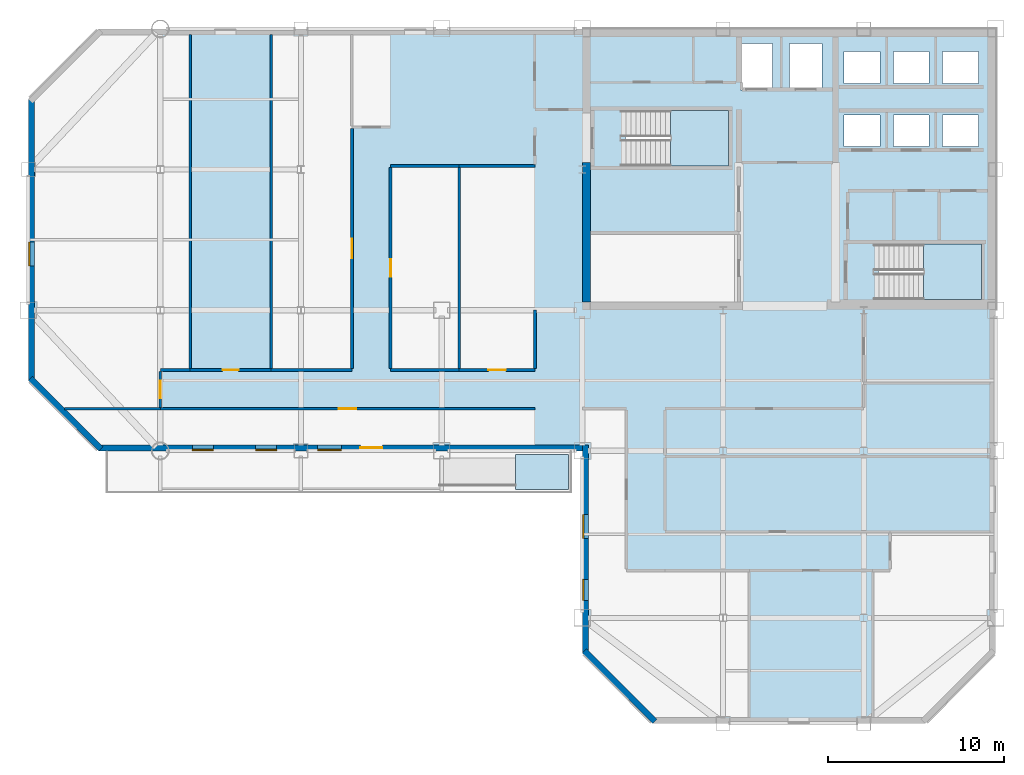
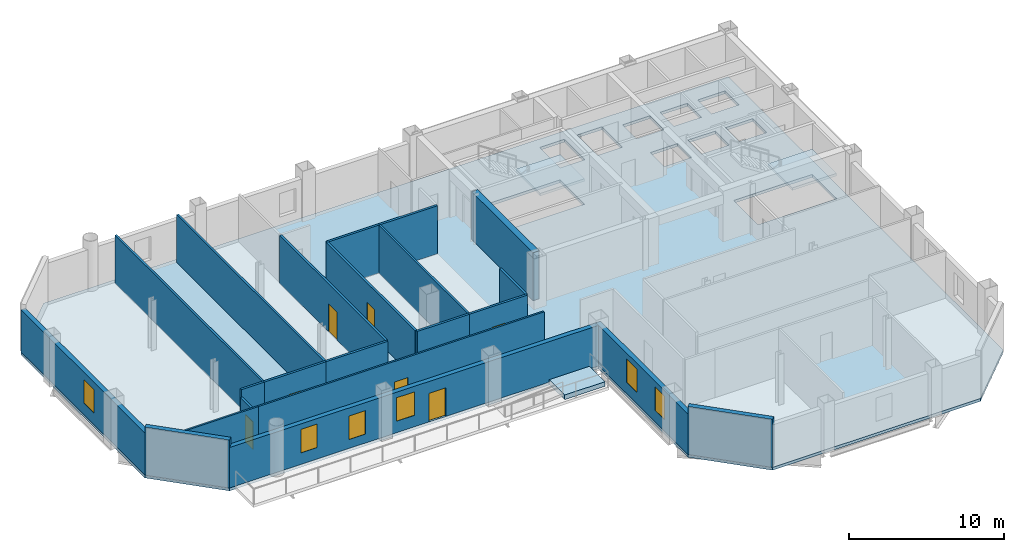
# One storey, part 4 of 11: 22 walls, 7 doors, 6 windows, 4 slabs, 13 openings, 3 elements without a shape of their own.
"""IFC4 building model written with IfcOpenShell, lengths in metres."""

from ifc_helpers import new_model, si_unit, direction, frame, frame_2d, origin, place, context, subcontext, project, spatial, polyline, rectangle, outline, extrude, material, layer, layer_set, type_object, element, fill, aggregate, save


model = new_model("IFC4")

# Units and contexts
model_context = context("Model", 3, precision=1e-05, world=origin(), true_north=direction((0.0, 1.0)))
body_context = subcontext(model_context, "Body", "Model", "MODEL_VIEW")
ifc_project = project(units=[si_unit("LENGTHUNIT", "METRE"), si_unit("AREAUNIT", "SQUARE_METRE"), si_unit("VOLUMEUNIT", "CUBIC_METRE"), si_unit("PLANEANGLEUNIT", "RADIAN"), si_unit("MASSUNIT", "GRAM", prefix="KILO")], contexts=[model_context])

# Site, building, storey
site_placement = place(None, origin())
site = spatial("IfcSite", under=ifc_project, at=site_placement, CompositionType="ELEMENT")
building_placement = place(site_placement, origin())
building = spatial("IfcBuilding", under=site, at=building_placement, Name="Qianrong Seaharbour Tower", CompositionType="ELEMENT")
storey_placement = place(building_placement, frame((0.0, 0.0, 273.800048828125)))
storey = spatial("IfcBuildingStorey", under=building, at=storey_placement, Name="L66", CompositionType="ELEMENT", Elevation=273.800048828125)

# Ramp, slab
ifc_material_1 = material(Name="White architectural precast concrete C45/55", Category="concrete")
ramp_type = type_object("IfcRampType", Name="RAMP-RIBBON-GARDEN", PredefinedType="STRAIGHT_RUN_RAMP", material=ifc_material_1)
ramp_placement = place(storey_placement, origin())
ramp = element("IfcRamp", 1, at=ramp_placement, inside=storey, type_object=ramp_type, Name="L66 Harbourfront Garden Ribbon Ramp", PredefinedType="STRAIGHT_RUN_RAMP")
ifc_layer_1 = layer(ifc_material_1, 0.360107421875)
ifc_layer_set_1 = layer_set([ifc_layer_1], Name="White architectural precast concrete C45/55")
slab_type_1 = type_object("IfcSlabType", Name="SLAB-RAMP-LANDING-220", PredefinedType="LANDING", material=ifc_layer_set_1)
slab_1_placement = place(storey_placement, origin())
slab_1 = element("IfcSlab", 2, at=slab_1_placement, type_object=slab_type_1, Name="L66 Harbourfront Ribbon Raised Garden Landing", PredefinedType="LANDING", context=body_context, shape_type="SweptSolid", body=[
    extrude(outline(polyline([(36.699951171875, 25.800048828125), (39.699951171875, 25.800048828125), (39.699951171875, 27.800048828125), (36.699951171875, 27.800048828125), (36.699951171875, 25.800048828125)])), origin(), (0.0, 0.0, 1.0), 0.35986328125),
])
aggregate(ramp, [slab_1])

# Stair, slab
ifc_material_2 = material(Name="Concrete C50/60", Category="concrete")
stair_type = type_object("IfcStairType", Name="STAIR-DOGLEG-1500-R22", PredefinedType="HALF_TURN_STAIR", material=ifc_material_2)
stair_1_placement = place(storey_placement, origin())
stair_1 = element("IfcStair", 3, at=stair_1_placement, inside=storey, type_object=stair_type, Name="L66 Protected Escape Stair ST-1", PredefinedType="HALF_TURN_STAIR")
ifc_layer_2 = layer(ifc_material_2, 0.199951171875)
ifc_layer_set_2 = layer_set([ifc_layer_2], Name="Concrete C50/60")
slab_type_2 = type_object("IfcSlabType", Name="SLAB-STAIR-LANDING-200", PredefinedType="LANDING", material=ifc_layer_set_2)
slab_2_placement = place(storey_placement, frame((0.0, 0.0, 1.800048828125)))
slab_2 = element("IfcSlab", 4, at=slab_2_placement, type_object=slab_type_2, Name="ST-1 landing 1", PredefinedType="LANDING", context=body_context, shape_type="SweptSolid", body=[
    extrude(outline(polyline([(45.5, 44.199951171875), (48.800048828125, 44.199951171875), (48.800048828125, 47.35009765625), (45.5, 47.35009765625), (45.5, 44.199951171875)])), origin(), (0.0, 0.0, 1.0), 0.199951171875),
])
aggregate(stair_1, [slab_2])

stair_2_placement = place(storey_placement, origin())
stair_2 = element("IfcStair", 5, at=stair_2_placement, inside=storey, type_object=stair_type, Name="L66 Protected Escape Stair ST-2", PredefinedType="HALF_TURN_STAIR")
slab_3_placement = place(storey_placement, frame((0.0, 0.0, 1.800048828125)))
slab_3 = element("IfcSlab", 6, at=slab_3_placement, type_object=slab_type_2, Name="ST-2 landing 1", PredefinedType="LANDING", context=body_context, shape_type="SweptSolid", body=[
    extrude(outline(polyline([(59.89990234375, 36.60009765625), (63.199951171875, 36.60009765625), (63.199951171875, 39.75), (59.89990234375, 39.75), (59.89990234375, 36.60009765625)])), origin(), (0.0, 0.0, 1.0), 0.199951171875),
])
aggregate(stair_2, [slab_3])

# Slab
ifc_layer_3 = layer(ifc_material_2, 0.22509765625)
ifc_layer_set_3 = layer_set([ifc_layer_3], Name="Concrete C50/60")
slab_type_3 = type_object("IfcSlabType", Name="SLAB-Z3-225", PredefinedType="FLOOR", material=ifc_layer_set_3)
slab_4_placement = place(storey_placement, frame((0.0, 0.0, -0.22509765625)))
element("IfcSlab", 7, at=slab_4_placement, inside=storey, type_object=slab_type_3, Name="L66 Structural Floor Slab", PredefinedType="FLOOR", context=body_context, shape_type="SweptSolid", body=[
    extrude(outline(polyline([(44.5, 12.5), (60.0, 12.5), (64.0, 16.5), (64.0, 52.0), (13.0, 52.0), (9.0, 48.0), (9.0, 32.0), (13.0, 28.0), (40.5, 28.0), (40.5, 16.5), (44.5, 12.5)]), holes=[polyline([(42.93994140625, 44.199951171875), (42.93994140625, 47.35009765625), (48.800048828125, 47.35009765625), (48.800048828125, 44.199951171875), (42.93994140625, 44.199951171875)]), polyline([(57.340087890625, 36.60009765625), (57.340087890625, 39.75), (63.199951171875, 39.75), (63.199951171875, 36.60009765625), (57.340087890625, 36.60009765625)]), polyline([(49.47998046875, 48.530029296875), (49.47998046875, 51.169921875), (51.320068359375, 51.169921875), (51.320068359375, 48.530029296875), (49.47998046875, 48.530029296875)]), polyline([(52.280029296875, 48.530029296875), (52.280029296875, 51.169921875), (54.1201171875, 51.169921875), (54.1201171875, 48.530029296875), (52.280029296875, 48.530029296875)]), polyline([(55.3798828125, 45.300048828125), (55.3798828125, 47.10009765625), (57.419921875, 47.10009765625), (57.419921875, 45.300048828125), (55.3798828125, 45.300048828125)]), polyline([(58.179931640625, 45.300048828125), (58.179931640625, 47.10009765625), (60.219970703125, 47.10009765625), (60.219970703125, 45.300048828125), (58.179931640625, 45.300048828125)]), polyline([(60.97998046875, 45.300048828125), (60.97998046875, 47.10009765625), (63.02001953125, 47.10009765625), (63.02001953125, 45.300048828125), (60.97998046875, 45.300048828125)]), polyline([(55.3798828125, 48.89990234375), (55.3798828125, 50.699951171875), (57.419921875, 50.699951171875), (57.419921875, 48.89990234375), (55.3798828125, 48.89990234375)]), polyline([(58.179931640625, 48.89990234375), (58.179931640625, 50.699951171875), (60.219970703125, 50.699951171875), (60.219970703125, 48.89990234375), (58.179931640625, 48.89990234375)]), polyline([(60.97998046875, 48.89990234375), (60.97998046875, 50.699951171875), (63.02001953125, 50.699951171875), (63.02001953125, 48.89990234375), (60.97998046875, 48.89990234375)])]), origin(), (0.0, 0.0, 1.0), 0.22509765625),
])

# Wall
ifc_material_3 = material(Name="Concrete C60/75", Category="concrete")
ifc_layer_4 = layer(ifc_material_3, 0.4599609375)
ifc_layer_set_4 = layer_set([ifc_layer_4], Name="Concrete C60/75")
wall_type_1 = type_object("IfcWallType", Name="WALL-CORE-460", PredefinedType="SHEAR", material=ifc_layer_set_4)
wall_1_placement = place(storey_placement, frame((40.72998046875, 36.4599609375, 0.0), z_axis=(0.0, 0.0, 1.0), x_axis=(0.0, 1.0, 0.0)))
element("IfcWall", 8, at=wall_1_placement, inside=storey, type_object=wall_type_1, Name="L66 West Core Shear Wall South", PredefinedType="SHEAR", context=body_context, shape_type="SweptSolid", body=[
    extrude(rectangle(XDim=7.93994140625, YDim=0.4599609375, at=frame_2d((3.969970703125, 0.0))), origin(), (0.0, 0.0, 1.0), 3.77490234375),
])

# Wall, opening, door
ifc_material_4 = material(Name="Fire-rated acoustic gypsum board partition")
ifc_layer_5 = layer(ifc_material_4, 0.1650390625)
ifc_layer_set_5 = layer_set([ifc_layer_5], Name="Fire-rated acoustic gypsum board partition")
wall_type_2 = type_object("IfcWallType", Name="WALL-CORR-PART-165", PredefinedType="PARTITIONING", material=ifc_layer_set_5)
wall_2_placement = place(storey_placement, frame((16.5, 30.45703125, 0.0), z_axis=(0.0, 0.0, 1.0), x_axis=(0.0, 1.0, 0.0)))
wall_2 = element("IfcWall", 9, at=wall_2_placement, inside=storey, type_object=wall_type_2, Name="L66 Interior Partition Wall 017", PredefinedType="PARTITIONING", context=body_context, shape_type="SweptSolid", body=[
    extrude(rectangle(XDim=2.068359375, YDim=0.1650390625, at=frame_2d((1.0341796875, 0.0))), origin(), (0.0, 0.0, 1.0), 3.178955078125),
])
opening_1_placement = place(wall_2_placement, frame((0.5341796875, 0.0, 0.0)))
opening_1 = element("IfcOpeningElement", 10, at=opening_1_placement, cuts=wall_2, Name="Opening DO-01", PredefinedType="OPENING", context=body_context, shape_type="SweptSolid", body=[
    extrude(rectangle(XDim=1.0, YDim=2.14990234375, at=frame_2d((0.5, 1.074951171875))), frame((0.0, 0.092529296875, 0.0), z_axis=(0.0, -1.0, 0.0), x_axis=(1.0, 0.0, 0.0)), (0.0, 0.0, 1.0), 0.18505859375),
])
ifc_material_5 = material(Name="Acoustic timber and galvanized steel fire door assembly", Category="steel")
door_type_1 = type_object("IfcDoorType", Name="DOOR-OFFICE-1000x2150", OperationType="NOTDEFINED", PredefinedType="DOOR", material=ifc_material_5)
door_1_placement = place(opening_1_placement, origin())
door_1 = element("IfcDoor", 11, at=door_1_placement, inside=storey, type_object=door_type_1, Name="L66 Legal Support Open-Plan Office Door", OperationType="SINGLE_SWING_LEFT", OverallHeight=2.14990234375, OverallWidth=1.0, PredefinedType="DOOR", context=body_context, shape_type="SweptSolid", body=[
    extrude(rectangle(XDim=1.0, YDim=2.14990234375, at=frame_2d((0.5, 1.074951171875))), frame((0.0, 0.02490234375, 0.0), z_axis=(0.0, -1.0, 0.0), x_axis=(1.0, 0.0, 0.0)), (0.0, 0.0, 1.0), 0.050048828125),
])
fill(opening_1, door_1)

# Wall
wall_3_placement = place(storey_placement, frame((16.5, 32.60009765625, 0.0), z_axis=(0.0, 0.0, 1.0), x_axis=(1.0, 0.0, 0.0)))
element("IfcWall", 12, at=wall_3_placement, inside=storey, type_object=wall_type_2, Name="L66 Interior Partition Wall 018", PredefinedType="PARTITIONING", context=body_context, shape_type="SweptSolid", body=[
    extrude(rectangle(XDim=1.699951171875, YDim=0.1650390625, at=frame_2d((0.85009765625, 0.0))), origin(), (0.0, 0.0, 1.0), 3.77490234375),
])

# Wall, opening, door
wall_4_placement = place(storey_placement, frame((18.199951171875, 32.60009765625, 0.0), z_axis=(0.0, 0.0, 1.0), x_axis=(1.0, 0.0, 0.0)))
wall_4 = element("IfcWall", 13, at=wall_4_placement, inside=storey, type_object=wall_type_2, Name="L66 Interior Partition Wall 019", PredefinedType="PARTITIONING", context=body_context, shape_type="SweptSolid", body=[
    extrude(rectangle(XDim=4.60009765625, YDim=0.1650390625, at=frame_2d((2.300048828125, 0.0))), origin(), (0.0, 0.0, 1.0), 3.77490234375),
])
opening_2_placement = place(wall_4_placement, frame((1.85009765625, 0.0, 0.0)))
opening_2 = element("IfcOpeningElement", 14, at=opening_2_placement, cuts=wall_4, Name="Opening DS-01", PredefinedType="OPENING", context=body_context, shape_type="SweptSolid", body=[
    extrude(rectangle(XDim=0.89990234375, YDim=2.14990234375, at=frame_2d((0.449951171875, 1.074951171875))), frame((0.0, 0.092529296875, 0.0), z_axis=(0.0, -1.0, 0.0), x_axis=(1.0, 0.0, 0.0)), (0.0, 0.0, 1.0), 0.18505859375),
])
door_type_2 = type_object("IfcDoorType", Name="DOOR-STORE-900x2150", OperationType="NOTDEFINED", PredefinedType="DOOR", material=ifc_material_5)
door_2_placement = place(opening_2_placement, origin())
door_2 = element("IfcDoor", 15, at=door_2_placement, inside=storey, type_object=door_type_2, Name="L66 Corporate Archive Room 1 Door", OperationType="SINGLE_SWING_RIGHT", OverallHeight=2.14990234375, OverallWidth=0.89990234375, PredefinedType="DOOR", context=body_context, shape_type="SweptSolid", body=[
    extrude(rectangle(XDim=0.89990234375, YDim=2.14990234375, at=frame_2d((0.449951171875, 1.074951171875))), frame((0.0, 0.02490234375, 0.0), z_axis=(0.0, -1.0, 0.0), x_axis=(1.0, 0.0, 0.0)), (0.0, 0.0, 1.0), 0.050048828125),
])
fill(opening_2, door_2)

# Walls
wall_5_placement = place(storey_placement, frame((22.800048828125, 32.60009765625, 0.0), z_axis=(0.0, 0.0, 1.0), x_axis=(1.0, 0.0, 0.0)))
element("IfcWall", 16, at=wall_5_placement, inside=storey, type_object=wall_type_2, Name="L66 Interior Partition Wall 020", PredefinedType="PARTITIONING", context=body_context, shape_type="SweptSolid", body=[
    extrude(rectangle(XDim=4.599853515625, YDim=0.1650390625, at=frame_2d((2.2998046875, 0.0))), origin(), (0.0, 0.0, 1.0), 3.77490234375),
])
wall_6_placement = place(storey_placement, frame((29.60009765625, 32.60009765625, 0.0), z_axis=(0.0, 0.0, 1.0), x_axis=(1.0, 0.0, 0.0)))
element("IfcWall", 17, at=wall_6_placement, inside=storey, type_object=wall_type_2, Name="L66 Interior Partition Wall 021", PredefinedType="PARTITIONING", context=body_context, shape_type="SweptSolid", body=[
    extrude(rectangle(XDim=3.89990234375, YDim=0.1650390625, at=frame_2d((1.949951171875, 0.0))), origin(), (0.0, 0.0, 1.0), 3.77490234375),
])

# Wall, opening, door
wall_7_placement = place(storey_placement, frame((33.5, 32.60009765625, 0.0), z_axis=(0.0, 0.0, 1.0), x_axis=(1.0, 0.0, 0.0)))
wall_7 = element("IfcWall", 18, at=wall_7_placement, inside=storey, type_object=wall_type_2, Name="L66 Interior Partition Wall 022", PredefinedType="PARTITIONING", context=body_context, shape_type="SweptSolid", body=[
    extrude(rectangle(XDim=4.300048828125, YDim=0.1650390625, at=frame_2d((2.14990234375, 0.0))), origin(), (0.0, 0.0, 1.0), 3.77490234375),
])
opening_3_placement = place(wall_7_placement, frame((1.64990234375, 0.0, 0.0)))
opening_3 = element("IfcOpeningElement", 19, at=opening_3_placement, cuts=wall_7, Name="Opening DO-01", PredefinedType="OPENING", context=body_context, shape_type="SweptSolid", body=[
    extrude(rectangle(XDim=1.0, YDim=2.14990234375, at=frame_2d((0.5, 1.074951171875))), frame((0.0, 0.092529296875, 0.0), z_axis=(0.0, -1.0, 0.0), x_axis=(1.0, 0.0, 0.0)), (0.0, 0.0, 1.0), 0.18505859375),
])
door_3_placement = place(opening_3_placement, origin())
door_3 = element("IfcDoor", 20, at=door_3_placement, inside=storey, type_object=door_type_1, Name="L66 Focus Room 3 Door", OperationType="SINGLE_SWING_RIGHT", OverallHeight=2.14990234375, OverallWidth=1.0, PredefinedType="DOOR", context=body_context, shape_type="SweptSolid", body=[
    extrude(rectangle(XDim=1.0, YDim=2.14990234375, at=frame_2d((0.5, 1.074951171875))), frame((0.0, 0.02490234375, 0.0), z_axis=(0.0, -1.0, 0.0), x_axis=(1.0, 0.0, 0.0)), (0.0, 0.0, 1.0), 0.050048828125),
])
fill(opening_3, door_3)

wall_8_placement = place(storey_placement, frame((27.39990234375, 32.674560546875, 0.0), z_axis=(0.0, 0.0, 1.0), x_axis=(0.0, 1.0, 0.0)))
wall_8 = element("IfcWall", 21, at=wall_8_placement, inside=storey, type_object=wall_type_2, Name="L66 Interior Partition Wall 024", PredefinedType="PARTITIONING", context=body_context, shape_type="SweptSolid", body=[
    extrude(rectangle(XDim=13.65087890625, YDim=0.1650390625, at=frame_2d((6.825439453125, 0.0))), origin(), (0.0, 0.0, 1.0), 3.77490234375),
])
opening_4_placement = place(wall_8_placement, frame((6.275390625, 0.0, 0.0)))
opening_4 = element("IfcOpeningElement", 22, at=opening_4_placement, cuts=wall_8, Name="Opening DM-01", PredefinedType="OPENING", context=body_context, shape_type="SweptSolid", body=[
    extrude(rectangle(XDim=1.10009765625, YDim=2.199951171875, at=frame_2d((0.550048828125, 1.10009765625))), frame((0.0, 0.092529296875, 0.0), z_axis=(0.0, -1.0, 0.0), x_axis=(1.0, 0.0, 0.0)), (0.0, 0.0, 1.0), 0.18505859375),
])
door_type_3 = type_object("IfcDoorType", Name="DOOR-MEET-1100x2200", OperationType="NOTDEFINED", PredefinedType="DOOR", material=ifc_material_5)
door_4_placement = place(opening_4_placement, origin())
door_4 = element("IfcDoor", 23, at=door_4_placement, inside=storey, type_object=door_type_3, Name="L66 Boardroom 2 Door", OperationType="SINGLE_SWING_LEFT", OverallHeight=2.199951171875, OverallWidth=1.10009765625, PredefinedType="DOOR", context=body_context, shape_type="SweptSolid", body=[
    extrude(rectangle(XDim=1.10009765625, YDim=2.199951171875, at=frame_2d((0.550048828125, 1.10009765625))), frame((0.0, 0.02490234375, 0.0), z_axis=(0.0, -1.0, 0.0), x_axis=(1.0, 0.0, 0.0)), (0.0, 0.0, 1.0), 0.050048828125),
])
fill(opening_4, door_4)

wall_9_placement = place(storey_placement, frame((29.60009765625, 44.12548828125, 0.0), z_axis=(0.0, 0.0, 1.0), x_axis=(0.0, -1.0, 0.0)))
wall_9 = element("IfcWall", 24, at=wall_9_placement, inside=storey, type_object=wall_type_2, Name="L66 Interior Partition Wall 026", PredefinedType="PARTITIONING", context=body_context, shape_type="SweptSolid", body=[
    extrude(rectangle(XDim=11.450927734375, YDim=0.1650390625, at=frame_2d((5.7255859375, 0.0))), origin(), (0.0, 0.0, 1.0), 3.77490234375),
])
opening_5_placement = place(wall_9_placement, frame((5.235595703125, 0.0, 0.0)))
opening_5 = element("IfcOpeningElement", 25, at=opening_5_placement, cuts=wall_9, Name="Opening DE-01", PredefinedType="OPENING", context=body_context, shape_type="SweptSolid", body=[
    extrude(rectangle(XDim=0.97998046875, YDim=2.25, at=frame_2d((0.489990234375, 1.125))), frame((0.0, 0.092529296875, 0.0), z_axis=(0.0, -1.0, 0.0), x_axis=(1.0, 0.0, 0.0)), (0.0, 0.0, 1.0), 0.18505859375),
])
door_type_4 = type_object("IfcDoorType", Name="DOOR-EXEC-980x2250", OperationType="NOTDEFINED", PredefinedType="DOOR", material=ifc_material_5)
door_5_placement = place(opening_5_placement, origin())
door_5 = element("IfcDoor", 26, at=door_5_placement, inside=storey, type_object=door_type_4, Name="L66 Partner Chambers Office 2 Door", OperationType="SINGLE_SWING_LEFT", OverallHeight=2.25, OverallWidth=0.97998046875, PredefinedType="DOOR", context=body_context, shape_type="SweptSolid", body=[
    extrude(rectangle(XDim=0.97998046875, YDim=2.25, at=frame_2d((0.489990234375, 1.125))), frame((0.0, 0.02490234375, 0.0), z_axis=(0.0, -1.0, 0.0), x_axis=(1.0, 0.0, 0.0)), (0.0, 0.0, 1.0), 0.050048828125),
])
fill(opening_5, door_5)

# Walls
wall_10_placement = place(storey_placement, frame((33.5, 44.199951171875, 0.0), z_axis=(0.0, 0.0, 1.0), x_axis=(-1.0, 0.0, 0.0)))
element("IfcWall", 27, at=wall_10_placement, inside=storey, type_object=wall_type_2, Name="L66 Interior Partition Wall 027", PredefinedType="PARTITIONING", context=body_context, shape_type="SweptSolid", body=[
    extrude(rectangle(XDim=3.89990234375, YDim=0.1650390625, at=frame_2d((1.949951171875, 0.0))), origin(), (0.0, 0.0, 1.0), 3.77490234375),
])
wall_11_placement = place(storey_placement, frame((37.800048828125, 44.199951171875, 0.0), z_axis=(0.0, 0.0, 1.0), x_axis=(-1.0, 0.0, 0.0)))
element("IfcWall", 28, at=wall_11_placement, inside=storey, type_object=wall_type_2, Name="L66 Interior Partition Wall 028", PredefinedType="PARTITIONING", context=body_context, shape_type="SweptSolid", body=[
    extrude(rectangle(XDim=4.300048828125, YDim=0.1650390625, at=frame_2d((2.14990234375, 0.0))), origin(), (0.0, 0.0, 1.0), 3.77490234375),
])
wall_12_placement = place(storey_placement, frame((37.800048828125, 32.674560546875, 0.0), z_axis=(0.0, 0.0, 1.0), x_axis=(0.0, 1.0, 0.0)))
element("IfcWall", 29, at=wall_12_placement, inside=storey, type_object=wall_type_2, Name="L66 Interior Partition Wall 029", PredefinedType="PARTITIONING", context=body_context, shape_type="SweptSolid", body=[
    extrude(rectangle(XDim=3.325439453125, YDim=0.1650390625, at=frame_2d((1.66259765625, 0.0))), origin(), (0.0, 0.0, 1.0), 3.77490234375),
])

# Wall, openings, windows
ifc_material_6 = material(Name="Unitised buff brick on Precast concrete C45/55", Category="masonry")
ifc_layer_6 = layer(ifc_material_6, 0.340087890625)
ifc_layer_set_6 = layer_set([ifc_layer_6], Name="Unitised buff brick on Precast concrete C45/55")
wall_type_3 = type_object("IfcWallType", Name="WALL-EXT-BRICK-BUFF-340", PredefinedType="SOLIDWALL", material=ifc_layer_set_6)
wall_13_placement = place(storey_placement, frame((40.669921875, 16.5, 0.0), z_axis=(0.0, 0.0, 1.0), x_axis=(0.0, 1.0, 0.0)))
wall_13 = element("IfcWall", 30, at=wall_13_placement, inside=storey, type_object=wall_type_3, Name="L66 Exterior Masonry Facade Wall REENTRANT_WEST", PredefinedType="SOLIDWALL", context=body_context, shape_type="SweptSolid", body=[
    extrude(rectangle(XDim=11.840087890625, YDim=0.340087890625, at=frame_2d((5.919921875, 0.0))), origin(), (0.0, 0.0, 1.0), 3.18701171875),
])
opening_6_placement = place(wall_13_placement, frame((3.0, 0.0, 0.89990234375)))
opening_6 = element("IfcOpeningElement", 31, at=opening_6_placement, cuts=wall_13, Name="Opening WN-01", PredefinedType="OPENING", context=body_context, shape_type="SweptSolid", body=[
    extrude(rectangle(XDim=1.199951171875, YDim=1.85009765625, at=frame_2d((0.60009765625, 0.925048828125))), frame((0.0, 0.18017578125, 0.0), z_axis=(0.0, -1.0, 0.0), x_axis=(1.0, 0.0, 0.0)), (0.0, 0.0, 1.0), 0.360107421875),
])
opening_7_placement = place(wall_13_placement, frame((6.52490234375, 0.0, 0.89990234375)))
opening_7 = element("IfcOpeningElement", 32, at=opening_7_placement, cuts=wall_13, Name="Opening WN-02", PredefinedType="OPENING", context=body_context, shape_type="SweptSolid", body=[
    extrude(rectangle(XDim=1.35009765625, YDim=1.85009765625, at=frame_2d((0.675048828125, 0.925048828125))), frame((0.0, 0.18017578125, 0.0), z_axis=(0.0, -1.0, 0.0), x_axis=(1.0, 0.0, 0.0)), (0.0, 0.0, 1.0), 0.360107421875),
])
ifc_material_7 = material(Name="Insulated low-e double glazing in thermally broken aluminium 6063-T6 frame", Category="aluminium")
window_type_1 = type_object("IfcWindowType", Name="WIN-PUNCH-1200x1850", PartitioningType="DOUBLE_PANEL_VERTICAL", PredefinedType="WINDOW", material=ifc_material_7)
window_1_placement = place(opening_6_placement, origin())
window_1 = element("IfcWindow", 33, at=window_1_placement, inside=storey, type_object=window_type_1, Name="L66 Deep-Set Punched Window 00.01", OverallHeight=1.85009765625, OverallWidth=1.199951171875, PartitioningType="DOUBLE_PANEL_VERTICAL", PredefinedType="WINDOW", context=body_context, shape_type="SweptSolid", body=[
    extrude(rectangle(XDim=1.199951171875, YDim=1.85009765625, at=frame_2d((0.60009765625, 0.925048828125))), frame((0.0, 0.150146484375, 0.0), z_axis=(0.0, -1.0, 0.0), x_axis=(1.0, 0.0, 0.0)), (0.0, 0.0, 1.0), 0.06005859375),
])
fill(opening_6, window_1)
window_type_2 = type_object("IfcWindowType", Name="WIN-PUNCH-1350x1850", PartitioningType="DOUBLE_PANEL_VERTICAL", PredefinedType="WINDOW", material=ifc_material_7)
window_2_placement = place(opening_7_placement, origin())
window_2 = element("IfcWindow", 34, at=window_2_placement, inside=storey, type_object=window_type_2, Name="L66 Deep-Set Punched Window 00.02", OverallHeight=1.85009765625, OverallWidth=1.35009765625, PartitioningType="DOUBLE_PANEL_VERTICAL", PredefinedType="WINDOW", context=body_context, shape_type="SweptSolid", body=[
    extrude(rectangle(XDim=1.35009765625, YDim=1.85009765625, at=frame_2d((0.675048828125, 0.925048828125))), frame((0.0, 0.150146484375, 0.0), z_axis=(0.0, -1.0, 0.0), x_axis=(1.0, 0.0, 0.0)), (0.0, 0.0, 1.0), 0.06005859375),
])
fill(opening_7, window_2)

# Wall, openings, door, windows
wall_14_placement = place(storey_placement, frame((40.52001953125, 28.169921875, 0.0), z_axis=(0.0, 0.0, 1.0), x_axis=(-1.0, 0.0, 0.0)))
wall_14 = element("IfcWall", 35, at=wall_14_placement, inside=storey, type_object=wall_type_3, Name="L66 Exterior Masonry Facade Wall HARBOUR_RIBBON", PredefinedType="SOLIDWALL", context=body_context, shape_type="SweptSolid", body=[
    extrude(rectangle(XDim=27.52001953125, YDim=0.340087890625, at=frame_2d((13.760009765625, 0.0))), origin(), (0.0, 0.0, 1.0), 3.18701171875),
])
opening_8_placement = place(wall_14_placement, frame((13.72509765625, 0.0, 0.89990234375)))
opening_8 = element("IfcOpeningElement", 36, at=opening_8_placement, cuts=wall_14, Name="Opening WN-02", PredefinedType="OPENING", context=body_context, shape_type="SweptSolid", body=[
    extrude(rectangle(XDim=1.35009765625, YDim=1.85009765625, at=frame_2d((0.675048828125, 0.925048828125))), frame((0.0, 0.18017578125, 0.0), z_axis=(0.0, -1.0, 0.0), x_axis=(1.0, 0.0, 0.0)), (0.0, 0.0, 1.0), 0.360107421875),
])
opening_9_placement = place(wall_14_placement, frame((17.39990234375, 0.0, 0.699951171875)))
opening_9 = element("IfcOpeningElement", 37, at=opening_9_placement, cuts=wall_14, Name="Opening WN-01", PredefinedType="OPENING", context=body_context, shape_type="SweptSolid", body=[
    extrude(rectangle(XDim=1.199951171875, YDim=1.85009765625, at=frame_2d((0.60009765625, 0.925048828125))), frame((0.0, 0.18017578125, 0.0), z_axis=(0.0, -1.0, 0.0), x_axis=(1.0, 0.0, 0.0)), (0.0, 0.0, 1.0), 0.360107421875),
])
opening_10_placement = place(wall_14_placement, frame((21.0, 0.0, 0.89990234375)))
opening_10 = element("IfcOpeningElement", 38, at=opening_10_placement, cuts=wall_14, Name="Opening WN-01", PredefinedType="OPENING", context=body_context, shape_type="SweptSolid", body=[
    extrude(rectangle(XDim=1.199951171875, YDim=1.85009765625, at=frame_2d((0.60009765625, 0.925048828125))), frame((0.0, 0.18017578125, 0.0), z_axis=(0.0, -1.0, 0.0), x_axis=(1.0, 0.0, 0.0)), (0.0, 0.0, 1.0), 0.360107421875),
])
opening_11_placement = place(wall_14_placement, frame((11.39501953125, 0.0, 0.0)))
opening_11 = element("IfcOpeningElement", 39, at=opening_11_placement, cuts=wall_14, Name="Opening D-TER1", PredefinedType="OPENING", context=body_context, shape_type="SweptSolid", body=[
    extrude(rectangle(XDim=1.25, YDim=2.25, at=frame_2d((0.625, 1.125))), frame((0.0, 0.18017578125, 0.0), z_axis=(0.0, -1.0, 0.0), x_axis=(1.0, 0.0, 0.0)), (0.0, 0.0, 1.0), 0.360107421875),
])
ifc_material_8 = material(Name="Insulated galvanized steel and laminated glass door assembly", Category="steel")
door_type_5 = type_object("IfcDoorType", Name="DOOR-EXT-TERRACE-1250x2250", OperationType="NOTDEFINED", PredefinedType="DOOR", material=ifc_material_8)
door_6_placement = place(opening_11_placement, origin())
door_6 = element("IfcDoor", 40, at=door_6_placement, inside=storey, type_object=door_type_5, Name="L66 Harbourfront Ribbon Gallery Access Door", OperationType="SINGLE_SWING_LEFT", OverallHeight=2.25, OverallWidth=1.25, PredefinedType="DOOR", context=body_context, shape_type="SweptSolid", body=[
    extrude(rectangle(XDim=1.25, YDim=2.25, at=frame_2d((0.625, 1.125))), frame((0.0, 0.02490234375, 0.0), z_axis=(0.0, -1.0, 0.0), x_axis=(1.0, 0.0, 0.0)), (0.0, 0.0, 1.0), 0.050048828125),
])
fill(opening_11, door_6)
window_3_placement = place(opening_9_placement, origin())
window_3 = element("IfcWindow", 41, at=window_3_placement, inside=storey, type_object=window_type_1, Name="L66 Deep-Set Punched Window 01.05", OverallHeight=1.85009765625, OverallWidth=1.199951171875, PartitioningType="DOUBLE_PANEL_VERTICAL", PredefinedType="WINDOW", context=body_context, shape_type="SweptSolid", body=[
    extrude(rectangle(XDim=1.199951171875, YDim=1.85009765625, at=frame_2d((0.60009765625, 0.925048828125))), frame((0.0, 0.150146484375, 0.0), z_axis=(0.0, -1.0, 0.0), x_axis=(1.0, 0.0, 0.0)), (0.0, 0.0, 1.0), 0.06005859375),
])
fill(opening_9, window_3)
window_4_placement = place(opening_10_placement, origin())
window_4 = element("IfcWindow", 42, at=window_4_placement, inside=storey, type_object=window_type_1, Name="L66 Deep-Set Punched Window 01.06", OverallHeight=1.85009765625, OverallWidth=1.199951171875, PartitioningType="DOUBLE_PANEL_VERTICAL", PredefinedType="WINDOW", context=body_context, shape_type="SweptSolid", body=[
    extrude(rectangle(XDim=1.199951171875, YDim=1.85009765625, at=frame_2d((0.60009765625, 0.925048828125))), frame((0.0, 0.150146484375, 0.0), z_axis=(0.0, -1.0, 0.0), x_axis=(1.0, 0.0, 0.0)), (0.0, 0.0, 1.0), 0.06005859375),
])
fill(opening_10, window_4)
window_5_placement = place(opening_8_placement, origin())
window_5 = element("IfcWindow", 43, at=window_5_placement, inside=storey, type_object=window_type_2, Name="L66 Deep-Set Punched Window 01.04", OverallHeight=1.85009765625, OverallWidth=1.35009765625, PartitioningType="DOUBLE_PANEL_VERTICAL", PredefinedType="WINDOW", context=body_context, shape_type="SweptSolid", body=[
    extrude(rectangle(XDim=1.35009765625, YDim=1.85009765625, at=frame_2d((0.675048828125, 0.925048828125))), frame((0.0, 0.150146484375, 0.0), z_axis=(0.0, -1.0, 0.0), x_axis=(1.0, 0.0, 0.0)), (0.0, 0.0, 1.0), 0.06005859375),
])
fill(opening_8, window_5)

# Wall
wall_15_placement = place(storey_placement, frame((13.1201171875, 28.1201171875, 0.0), z_axis=(0.0, 0.0, 1.0), x_axis=(-0.707106781187, 0.707106781187, 0.0)))
element("IfcWall", 44, at=wall_15_placement, inside=storey, type_object=wall_type_3, Name="L66 Exterior Masonry Facade Wall E02", PredefinedType="SOLIDWALL", context=body_context, shape_type="SweptSolid", body=[
    extrude(rectangle(XDim=5.65673828125, YDim=0.340087890625, at=frame_2d((2.828369140625, 0.0))), origin(), (0.0, 0.0, 1.0), 3.77490234375),
])

# Wall, opening, window
wall_16_placement = place(storey_placement, frame((9.169921875, 32.0, 0.0), z_axis=(0.0, 0.0, 1.0), x_axis=(0.0, 1.0, 0.0)))
wall_16 = element("IfcWall", 45, at=wall_16_placement, inside=storey, type_object=wall_type_3, Name="L66 Exterior Masonry Facade Wall WEST_TIP", PredefinedType="SOLIDWALL", context=body_context, shape_type="SweptSolid", body=[
    extrude(rectangle(XDim=16.0, YDim=0.340087890625, at=frame_2d((8.0, 0.0))), origin(), (0.0, 0.0, 1.0), 3.324951171875),
])
opening_12_placement = place(wall_16_placement, frame((6.52490234375, 0.0, 0.89990234375)))
opening_12 = element("IfcOpeningElement", 46, at=opening_12_placement, cuts=wall_16, Name="Opening WN-02", PredefinedType="OPENING", context=body_context, shape_type="SweptSolid", body=[
    extrude(rectangle(XDim=1.35009765625, YDim=1.85009765625, at=frame_2d((0.675048828125, 0.925048828125))), frame((0.0, 0.18017578125, 0.0), z_axis=(0.0, -1.0, 0.0), x_axis=(1.0, 0.0, 0.0)), (0.0, 0.0, 1.0), 0.360107421875),
])
window_6_placement = place(opening_12_placement, origin())
window_6 = element("IfcWindow", 47, at=window_6_placement, inside=storey, type_object=window_type_2, Name="L66 Deep-Set Punched Window 03.02", OverallHeight=1.85009765625, OverallWidth=1.35009765625, PartitioningType="DOUBLE_PANEL_VERTICAL", PredefinedType="WINDOW", context=body_context, shape_type="SweptSolid", body=[
    extrude(rectangle(XDim=1.35009765625, YDim=1.85009765625, at=frame_2d((0.675048828125, 0.925048828125))), frame((0.0, 0.150146484375, 0.0), z_axis=(0.0, -1.0, 0.0), x_axis=(1.0, 0.0, 0.0)), (0.0, 0.0, 1.0), 0.06005859375),
])
fill(opening_12, window_6)

# Walls
wall_17_placement = place(storey_placement, frame((44.6201171875, 12.6201171875, 0.0), z_axis=(0.0, 0.0, 1.0), x_axis=(-0.707106781187, 0.707106781187, 0.0)))
element("IfcWall", 48, at=wall_17_placement, inside=storey, type_object=wall_type_3, Name="L66 Exterior Masonry Facade Wall E09", PredefinedType="SOLIDWALL", context=body_context, shape_type="SweptSolid", body=[
    extrude(rectangle(XDim=5.65673828125, YDim=0.340087890625, at=frame_2d((2.828369140625, 0.0))), origin(), (0.0, 0.0, 1.0), 3.77490234375),
])
ifc_material_9 = material(Name="Acoustic gypsum board stud partition")
ifc_layer_7 = layer(ifc_material_9, 0.14501953125)
ifc_layer_set_7 = layer_set([ifc_layer_7], Name="Acoustic gypsum board stud partition")
wall_type_4 = type_object("IfcWallType", Name="WALL-OFFICE-PART-145", PredefinedType="PARTITIONING", material=ifc_layer_set_7)
for number, where, z_axis, x_axis, name in (
    (49, (18.199951171875, 51.66796875, 0.0), (0.0, 0.0, 1.0), (0.0, -1.0, 0.0), "L66 Interior Partition Wall 043"),
    (50, (22.800048828125, 51.66796875, 0.0), (0.0, 0.0, 1.0), (0.0, -1.0, 0.0), "L66 Interior Partition Wall 045"),
):
    element("IfcWall", number, at=place(storey_placement, frame(where, z_axis=z_axis, x_axis=x_axis)), inside=storey, type_object=wall_type_4, Name=name, PredefinedType="PARTITIONING", context=body_context, shape_type="SweptSolid", body=[
        extrude(rectangle(XDim=18.993408203125, YDim=0.14501953125, at=frame_2d((9.49658203125, 0.0))), origin(), (0.0, 0.0, 1.0), 3.77490234375),
    ])
wall_18_placement = place(storey_placement, frame((33.5, 44.12548828125, 0.0), z_axis=(0.0, 0.0, 1.0), x_axis=(0.0, -1.0, 0.0)))
element("IfcWall", 51, at=wall_18_placement, inside=storey, type_object=wall_type_4, Name="L66 Interior Partition Wall 047", PredefinedType="PARTITIONING", context=body_context, shape_type="SweptSolid", body=[
    extrude(rectangle(XDim=11.450927734375, YDim=0.14501953125, at=frame_2d((5.7255859375, 0.0))), origin(), (0.0, 0.0, 1.0), 3.77490234375),
])

# Wall, opening, door
ifc_material_10 = material(Name="Water-resistant cement board sanitary partition")
ifc_layer_8 = layer(ifc_material_10, 0.1298828125)
ifc_layer_set_8 = layer_set([ifc_layer_8], Name="Water-resistant cement board sanitary partition")
wall_type_5 = type_object("IfcWallType", Name="WALL-WET-PART-130", PredefinedType="PARTITIONING", material=ifc_layer_set_8)
wall_19_placement = place(storey_placement, frame((37.800048828125, 30.39990234375, 0.0), z_axis=(0.0, 0.0, 1.0), x_axis=(-1.0, 0.0, 0.0)))
wall_19 = element("IfcWall", 52, at=wall_19_placement, inside=storey, type_object=wall_type_5, Name="L66 Interior Partition Wall 023", PredefinedType="PARTITIONING", context=body_context, shape_type="SweptSolid", body=[
    extrude(rectangle(XDim=21.300048828125, YDim=0.1298828125, at=frame_2d((10.64990234375, 0.0))), origin(), (0.0, 0.0, 1.0), 3.77490234375),
])
opening_13_placement = place(wall_19_placement, frame((10.14990234375, 0.0, 0.0)))
opening_13 = element("IfcOpeningElement", 53, at=opening_13_placement, cuts=wall_19, Name="Opening DO-01", PredefinedType="OPENING", context=body_context, shape_type="SweptSolid", body=[
    extrude(rectangle(XDim=1.0, YDim=2.14990234375, at=frame_2d((0.5, 1.074951171875))), frame((0.0, 0.074951171875, 0.0), z_axis=(0.0, -1.0, 0.0), x_axis=(1.0, 0.0, 0.0)), (0.0, 0.0, 1.0), 0.14990234375),
])
door_7_placement = place(opening_13_placement, origin())
door_7 = element("IfcDoor", 54, at=door_7_placement, inside=storey, type_object=door_type_1, Name="L66 Wet Pantry Door", OperationType="SINGLE_SWING_RIGHT", OverallHeight=2.14990234375, OverallWidth=1.0, PredefinedType="DOOR", context=body_context, shape_type="SweptSolid", body=[
    extrude(rectangle(XDim=1.0, YDim=2.14990234375, at=frame_2d((0.5, 1.074951171875))), frame((0.0, 0.02490234375, 0.0), z_axis=(0.0, -1.0, 0.0), x_axis=(1.0, 0.0, 0.0)), (0.0, 0.0, 1.0), 0.050048828125),
])
fill(opening_13, door_7)

# Wall
wall_20_placement = place(storey_placement, frame((16.5, 30.39990234375, 0.0), z_axis=(0.0, 0.0, 1.0), x_axis=(-1.0, 0.0, 0.0)))
element("IfcWall", 55, at=wall_20_placement, inside=storey, type_object=wall_type_5, Name="L66 Interior Partition Wall 044", PredefinedType="PARTITIONING", context=body_context, shape_type="SweptSolid", body=[
    extrude(rectangle(XDim=5.430419921875, YDim=0.1298828125, at=frame_2d((2.71533203125, 0.0))), origin(), (0.0, 0.0, 1.0), 3.77490234375),
])

save(model, "model.ifc")
